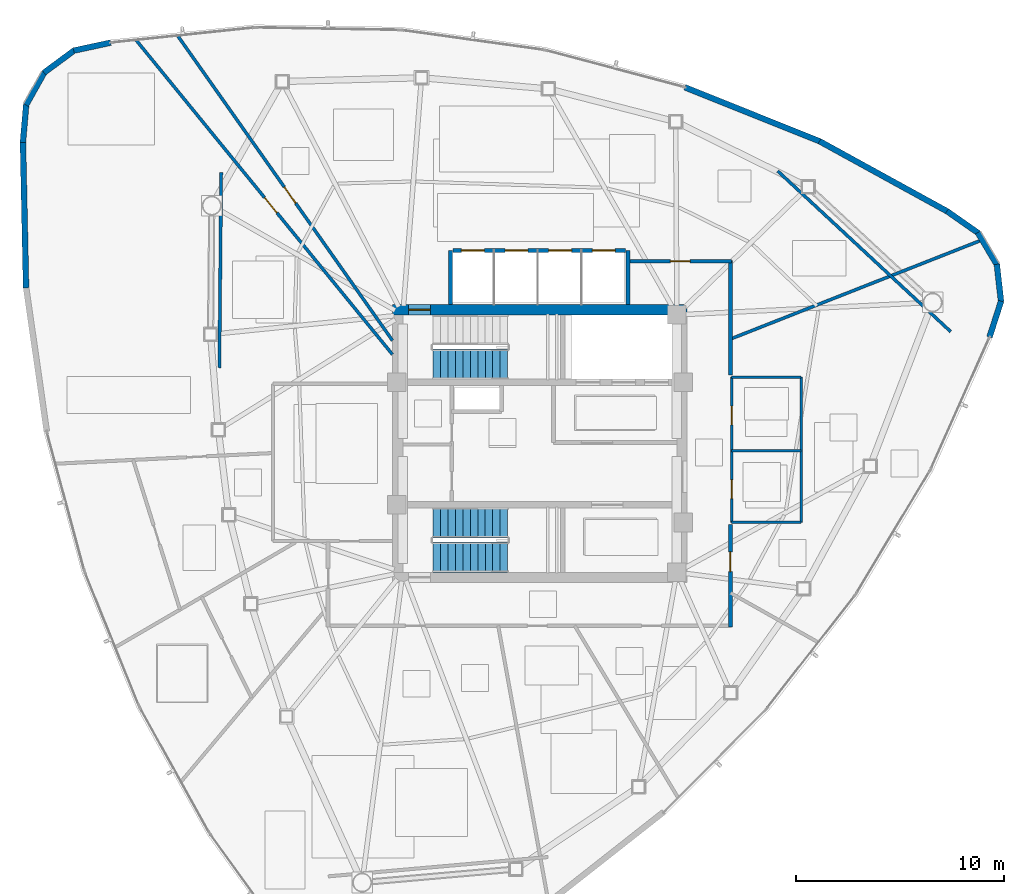
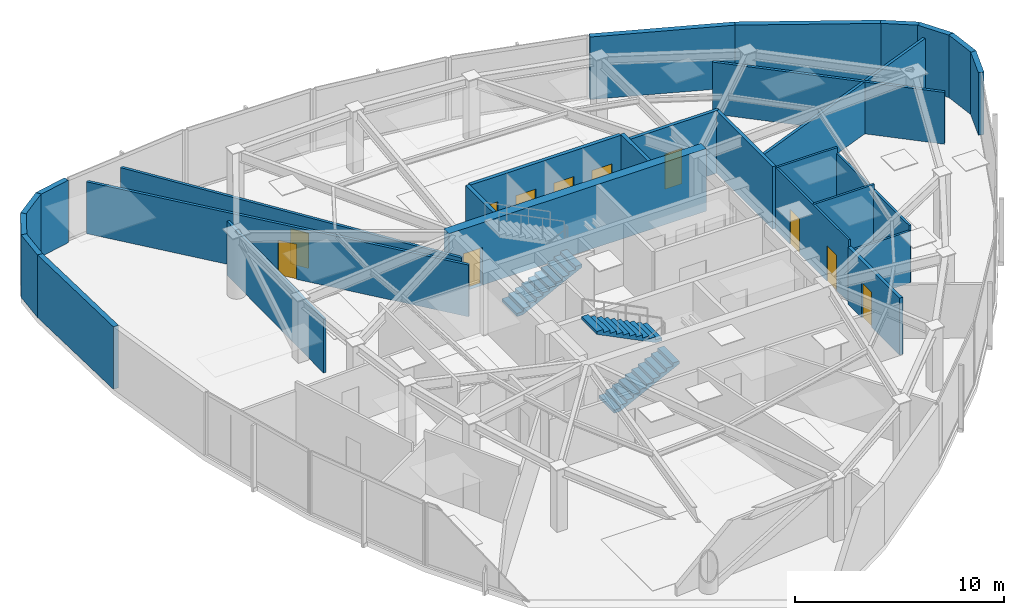
# One storey, part 9 of 13: 28 walls, 11 doors, 3 stair flights, 11 openings, 2 elements without a shape of their own.
"""IFC4 building model written with IfcOpenShell, lengths in metres."""

from ifc_helpers import new_model, si_unit, direction, frame, frame_2d, origin, place, context, subcontext, project, spatial, polyline, rectangle, outline, extrude, material, layer, layer_set, type_object, element, fill, aggregate, save


model = new_model("IFC4")

# Units and contexts
model_context = context("Model", 3, precision=1e-05, world=origin(), true_north=direction((0.0, 1.0)))
body_context = subcontext(model_context, "Body", "Model", "MODEL_VIEW")
ifc_project = project(units=[si_unit("LENGTHUNIT", "METRE"), si_unit("AREAUNIT", "SQUARE_METRE"), si_unit("VOLUMEUNIT", "CUBIC_METRE"), si_unit("PLANEANGLEUNIT", "RADIAN"), si_unit("MASSUNIT", "GRAM", prefix="KILO")], contexts=[model_context])

# Site, building, storey
site_placement = place(None, origin())
site = spatial("IfcSite", under=ifc_project, at=site_placement, CompositionType="ELEMENT")
building_placement = place(site_placement, origin())
building = spatial("IfcBuilding", under=site, at=building_placement, Name="Tavelor Broadcast Tower", CompositionType="ELEMENT")
storey_placement = place(building_placement, frame((0.0, 0.0, 245.85009765625)))
storey = spatial("IfcBuildingStorey", under=building, at=storey_placement, Name="L58", CompositionType="ELEMENT", Elevation=245.85009765625)

# Wall, opening, door
ifc_material_1 = material(Name="Concrete C50/60", Category="concrete")
ifc_layer_1 = layer(ifc_material_1, 0.5)
ifc_layer_set_1 = layer_set([ifc_layer_1], Name="Concrete C50/60")
wall_type_1 = type_object("IfcWallType", Name="Core Shear Wall 500 mm", PredefinedType="SHEAR", material=ifc_layer_set_1)
wall_1_placement = place(storey_placement, frame((42.89990234375, 51.449951171875, 0.0), z_axis=(0.0, 0.0, 1.0), x_axis=(1.0, 0.0, 0.0)))
wall_1 = element("IfcWall", 1, at=wall_1_placement, inside=storey, type_object=wall_type_1, Name="L58 Central Core Shear Wall N", PredefinedType="SHEAR", context=body_context, shape_type="SweptSolid", body=[
    extrude(rectangle(XDim=14.2001953125, YDim=0.5, at=frame_2d((7.10009765625, 0.0))), origin(), (0.0, 0.0, 1.0), 3.64990234375),
])
opening_1_placement = place(wall_1_placement, frame((0.780029296875, 0.0, 0.0)))
opening_1 = element("IfcOpeningElement", 2, at=opening_1_placement, cuts=wall_1, Name="Opening DR11", PredefinedType="OPENING", context=body_context, shape_type="SweptSolid", body=[
    extrude(rectangle(XDim=1.050048828125, YDim=2.199951171875, at=frame_2d((0.52490234375, 1.10009765625))), frame((0.0, 0.260009765625, 0.0), z_axis=(0.0, -1.0, 0.0), x_axis=(1.0, 0.0, 0.0)), (0.0, 0.0, 1.0), 0.52001953125),
])
ifc_material_2 = material(Name="Steel S355", Category="steel")
door_type_1 = type_object("IfcDoorType", Name="Stair Core Fire Escape Door 1050x2200", OperationType="NOTDEFINED", PredefinedType="DOOR", material=ifc_material_2)
door_1_placement = place(opening_1_placement, origin())
door_1 = element("IfcDoor", 3, at=door_1_placement, inside=storey, type_object=door_type_1, Name="L58 Stair ST1 Protected Exit Door", OperationType="SINGLE_SWING_LEFT", OverallHeight=2.199951171875, OverallWidth=1.050048828125, PredefinedType="DOOR", context=body_context, shape_type="SweptSolid", body=[
    extrude(rectangle(XDim=1.050048828125, YDim=2.199951171875, at=frame_2d((0.52490234375, 1.10009765625))), frame((0.0, 0.02490234375, 0.0), z_axis=(0.0, -1.0, 0.0), x_axis=(1.0, 0.0, 0.0)), (0.0, 0.0, 1.0), 0.050048828125),
])
fill(opening_1, door_1)

ifc_material_3 = material(Name="Calcium Silicate Fire Board 180 mm", Category="gypsum")
ifc_layer_2 = layer(ifc_material_3, 0.179931640625)
ifc_layer_set_2 = layer_set([ifc_layer_2], Name="Calcium Silicate Fire Board 180 mm")
wall_type_2 = type_object("IfcWallType", Name="Fire-Rated Corridor Partition Wall 180 mm", PredefinedType="PARTITIONING", material=ifc_layer_set_2)
wall_2_placement = place(storey_placement, frame((54.300048828125, 53.780029296875, 0.0), z_axis=(0.0, 0.0, 1.0), x_axis=(1.0, 0.0, 0.0)))
wall_2 = element("IfcWall", 4, at=wall_2_placement, inside=storey, type_object=wall_type_2, Name="L58 Corridor Compartment Wall 01", PredefinedType="PARTITIONING", context=body_context, shape_type="SweptSolid", body=[
    extrude(rectangle(XDim=4.929931640625, YDim=0.179931640625, at=frame_2d((2.46484375, 0.0))), origin(), (0.0, 0.0, 1.0), 3.64990234375),
])
opening_2_placement = place(wall_2_placement, frame((1.989990234375, 0.0, 0.0)))
opening_2 = element("IfcOpeningElement", 5, at=opening_2_placement, cuts=wall_2, Name="Opening DR18", PredefinedType="OPENING", context=body_context, shape_type="SweptSolid", body=[
    extrude(rectangle(XDim=0.949951171875, YDim=2.050048828125, at=frame_2d((0.47509765625, 1.02490234375))), frame((0.0, 0.10009765625, 0.0), z_axis=(0.0, -1.0, 0.0), x_axis=(1.0, 0.0, 0.0)), (0.0, 0.0, 1.0), 0.199951171875),
])
ifc_material_4 = material(Name="Timber Solid Core Hardwood", Category="wood")
door_type_2 = type_object("IfcDoorType", Name="Corridor Rated Compartment Door 950x2050", OperationType="NOTDEFINED", PredefinedType="DOOR", material=ifc_material_4)
door_2_placement = place(opening_2_placement, origin())
door_2 = element("IfcDoor", 6, at=door_2_placement, inside=storey, type_object=door_type_2, Name="L58 Broadcast Crew Room Door R7", OperationType="SINGLE_SWING_RIGHT", OverallHeight=2.050048828125, OverallWidth=0.949951171875, PredefinedType="DOOR", context=body_context, shape_type="SweptSolid", body=[
    extrude(rectangle(XDim=0.949951171875, YDim=2.050048828125, at=frame_2d((0.47509765625, 1.02490234375))), frame((0.0, 0.02490234375, 0.0), z_axis=(0.0, -1.0, 0.0), x_axis=(1.0, 0.0, 0.0)), (0.0, 0.0, 1.0), 0.050048828125),
])
fill(opening_2, door_2)

# Wall
wall_3_placement = place(storey_placement, frame((59.179931640625, 53.830078125, 0.0), z_axis=(0.0, 0.0, 1.0), x_axis=(0.0, -1.0, 0.0)))
element("IfcWall", 7, at=wall_3_placement, inside=storey, type_object=wall_type_2, Name="L58 Corridor Compartment Wall 02", PredefinedType="PARTITIONING", context=body_context, shape_type="SweptSolid", body=[
    extrude(rectangle(XDim=5.530029296875, YDim=0.179931640625, at=frame_2d((2.76513671875, 0.0))), origin(), (0.0, 0.0, 1.0), 3.64990234375),
])

# Wall, opening, door
wall_4_placement = place(storey_placement, frame((59.179931640625, 41.10009765625, 0.0), z_axis=(0.0, 0.0, 1.0), x_axis=(0.0, -1.0, 0.0)))
wall_4 = element("IfcWall", 8, at=wall_4_placement, inside=storey, type_object=wall_type_2, Name="L58 Corridor Compartment Wall 03", PredefinedType="PARTITIONING", context=body_context, shape_type="SweptSolid", body=[
    extrude(rectangle(XDim=4.93017578125, YDim=0.179931640625, at=frame_2d((2.465087890625, 0.0))), origin(), (0.0, 0.0, 1.0), 3.324951171875),
])
opening_3_placement = place(wall_4_placement, frame((1.315673828125, 0.0, 0.0)))
opening_3 = element("IfcOpeningElement", 9, at=opening_3_placement, cuts=wall_4, Name="Opening DR18", PredefinedType="OPENING", context=body_context, shape_type="SweptSolid", body=[
    extrude(rectangle(XDim=0.949951171875, YDim=2.050048828125, at=frame_2d((0.47509765625, 1.02490234375))), frame((0.0, 0.10009765625, 0.0), z_axis=(0.0, -1.0, 0.0), x_axis=(1.0, 0.0, 0.0)), (0.0, 0.0, 1.0), 0.199951171875),
])
door_3_placement = place(opening_3_placement, origin())
door_3 = element("IfcDoor", 10, at=door_3_placement, inside=storey, type_object=door_type_2, Name="L58 Standards Huddle Room Door R8", OperationType="SINGLE_SWING_LEFT", OverallHeight=2.050048828125, OverallWidth=0.949951171875, PredefinedType="DOOR", context=body_context, shape_type="SweptSolid", body=[
    extrude(rectangle(XDim=0.949951171875, YDim=2.050048828125, at=frame_2d((0.47509765625, 1.02490234375))), frame((0.0, 0.02490234375, 0.0), z_axis=(0.0, -1.0, 0.0), x_axis=(1.0, 0.0, 0.0)), (0.0, 0.0, 1.0), 0.050048828125),
])
fill(opening_3, door_3)

# Walls
ifc_material_5 = material(Name="Precast Concrete C40/50", Category="concrete")
ifc_layer_3 = layer(ifc_material_5, 0.280029296875)
ifc_layer_set_3 = layer_set([ifc_layer_3], Name="Precast Concrete C40/50")
wall_type_3 = type_object("IfcWallType", Name="Insulated Precast Terracotta Facade Wall 280 mm", PredefinedType="STANDARD", material=ifc_layer_set_3)
wall_5_placement = place(storey_placement, frame((29.330810546875, 64.3134765625, 0.0), z_axis=(0.0, 0.0, 1.0), x_axis=(-0.977576696948, -0.210579679895, 0.0)))
element("IfcWall", 11, at=wall_5_placement, inside=storey, type_object=wall_type_3, Name="L58 Rounded Corner Structural Cladding Pier 01", PredefinedType="STANDARD", context=body_context, shape_type="SweptSolid", body=[
    extrude(rectangle(XDim=1.824951171875, YDim=0.280029296875, at=frame_2d((0.91259765625, 0.0))), origin(), (0.0, 0.0, 1.0), 3.64990234375),
])
for number, where, z_axis, x_axis, name in (
    (12, (27.573486328125, 63.94140625, 0.0), (0.0, 0.0, 1.0), (-0.804341201192, -0.594167680091, 0.0), "L58 Rounded Corner Structural Cladding Pier 02"),
    (13, (26.134521484375, 62.885986328125, 0.0), (0.0, 0.0, 1.0), (-0.488726356184, -0.872437131701, 0.0), "L58 Rounded Corner Structural Cladding Pier 03"),
):
    element("IfcWall", number, at=place(storey_placement, frame(where, z_axis=z_axis, x_axis=x_axis)), inside=storey, type_object=wall_type_3, Name=name, PredefinedType="STANDARD", context=body_context, shape_type="SweptSolid", body=[
        extrude(rectangle(XDim=1.813232421875, YDim=0.280029296875, at=frame_2d((0.90673828125, 0.0))), origin(), (0.0, 0.0, 1.0), 3.64990234375),
    ])
wall_6_placement = place(storey_placement, frame((25.257080078125, 61.33203125, 0.0), z_axis=(0.0, 0.0, 1.0), x_axis=(-0.086302531446, -0.996268976264, 0.0)))
element("IfcWall", 14, at=wall_6_placement, inside=storey, type_object=wall_type_3, Name="L58 Rounded Corner Structural Cladding Pier 04", PredefinedType="STANDARD", context=body_context, shape_type="SweptSolid", body=[
    extrude(rectangle(XDim=1.8359375, YDim=0.280029296875, at=frame_2d((0.91796875, 0.0))), origin(), (0.0, 0.0, 1.0), 3.64990234375),
])
wall_7_placement = place(storey_placement, frame((25.099609375, 59.532958984375, 0.0), z_axis=(0.0, 0.0, 1.0), x_axis=(0.021354487537, -0.999771966931, 0.0)))
element("IfcWall", 15, at=wall_7_placement, inside=storey, type_object=wall_type_3, Name="L58 Rounded Corner Structural Cladding Pier 05", PredefinedType="STANDARD", context=body_context, shape_type="SweptSolid", body=[
    extrude(rectangle(XDim=7.03125, YDim=0.280029296875, at=frame_2d((3.515625, 0.0))), origin(), (0.0, 0.0, 1.0), 3.64990234375),
])
wall_8_placement = place(storey_placement, frame((71.660400390625, 50.12548828125, 0.0), z_axis=(0.0, 0.0, 1.0), x_axis=(0.306580664443, 0.951844680707, 0.0)))
element("IfcWall", 16, at=wall_8_placement, inside=storey, type_object=wall_type_3, Name="L58 Rounded Corner Structural Cladding Pier 21", PredefinedType="STANDARD", context=body_context, shape_type="SweptSolid", body=[
    extrude(rectangle(XDim=1.8251953125, YDim=0.280029296875, at=frame_2d((0.91259765625, 0.0))), origin(), (0.0, 0.0, 1.0), 3.64990234375),
])
for number, where, z_axis, x_axis, name in (
    (17, (72.217041015625, 51.83349609375, 0.0), (0.0, 0.0, 1.0), (-0.112426308193, 0.993660065227, 0.0), "L58 Rounded Corner Structural Cladding Pier 22"),
    (18, (72.022705078125, 53.607421875, 0.0), (0.0, 0.0, 1.0), (-0.511344202181, 0.859375998557, 0.0), "L58 Rounded Corner Structural Cladding Pier 23"),
):
    element("IfcWall", number, at=place(storey_placement, frame(where, z_axis=z_axis, x_axis=x_axis)), inside=storey, type_object=wall_type_3, Name=name, PredefinedType="STANDARD", context=body_context, shape_type="SweptSolid", body=[
        extrude(rectangle(XDim=1.813232421875, YDim=0.280029296875, at=frame_2d((0.90673828125, 0.0))), origin(), (0.0, 0.0, 1.0), 3.64990234375),
    ])
wall_9_placement = place(storey_placement, frame((71.115478515625, 55.144287109375, 0.0), z_axis=(0.0, 0.0, 1.0), x_axis=(-0.81965650106, 0.572855322285, 0.0)))
element("IfcWall", 19, at=wall_9_placement, inside=storey, type_object=wall_type_3, Name="L58 Rounded Corner Structural Cladding Pier 24", PredefinedType="STANDARD", context=body_context, shape_type="SweptSolid", body=[
    extrude(rectangle(XDim=1.8359375, YDim=0.280029296875, at=frame_2d((0.91796875, 0.0))), origin(), (0.0, 0.0, 1.0), 3.64990234375),
])
wall_10_placement = place(storey_placement, frame((69.635986328125, 56.18017578125, 0.0), z_axis=(0.0, 0.0, 1.0), x_axis=(-0.87649581642, 0.481409476224, 0.0)))
element("IfcWall", 20, at=wall_10_placement, inside=storey, type_object=wall_type_3, Name="L58 Rounded Corner Structural Cladding Pier 25", PredefinedType="STANDARD", context=body_context, shape_type="SweptSolid", body=[
    extrude(rectangle(XDim=7.031005859375, YDim=0.280029296875, at=frame_2d((3.515625, 0.0))), origin(), (0.0, 0.0, 1.0), 3.64990234375),
])
wall_11_placement = place(storey_placement, frame((63.50048828125, 59.55224609375, 0.0), z_axis=(0.0, 0.0, 1.0), x_axis=(-0.928320691582, 0.371780437329, 0.0)))
element("IfcWall", 21, at=wall_11_placement, inside=storey, type_object=wall_type_3, Name="L58 Rounded Corner Structural Cladding Pier 26", PredefinedType="STANDARD", context=body_context, shape_type="SweptSolid", body=[
    extrude(rectangle(XDim=7.019287109375, YDim=0.280029296875, at=frame_2d((3.509765625, 0.0))), origin(), (0.0, 0.0, 1.0), 3.64990234375),
])
ifc_material_6 = material(Name="Gypsum Acoustic Plasterboard 150 mm", Category="gypsum")
ifc_layer_4 = layer(ifc_material_6, 0.14990234375)
ifc_layer_set_4 = layer_set([ifc_layer_4], Name="Gypsum Acoustic Plasterboard 150 mm")
wall_type_4 = type_object("IfcWallType", Name="Interior Acoustic Partition Wall 150 mm", PredefinedType="PARTITIONING", material=ifc_layer_set_4)
wall_12_placement = place(storey_placement, frame((34.651611328125, 58.0556640625, 0.0), z_axis=(0.0, 0.0, 1.0), x_axis=(-0.009553538759, -0.999954363907, 0.0)))
element("IfcWall", 22, at=wall_12_placement, inside=storey, type_object=wall_type_4, Name="L58 Corner Tube Brace Furring Wall 1", PredefinedType="PARTITIONING", context=body_context, shape_type="SweptSolid", body=[
    extrude(rectangle(XDim=9.404296875, YDim=0.14990234375, at=frame_2d((4.7021484375, 0.0))), origin(), (0.0, 0.0, 1.0), 3.135009765625),
])
wall_13_placement = place(storey_placement, frame((69.79248046875, 50.387939453125, 0.0), z_axis=(0.0, 0.0, 1.0), x_axis=(-0.732769799181, 0.680476613418, 0.0)))
element("IfcWall", 23, at=wall_13_placement, inside=storey, type_object=wall_type_4, Name="L58 Corner Tube Brace Furring Wall 3", PredefinedType="PARTITIONING", context=body_context, shape_type="SweptSolid", body=[
    extrude(rectangle(XDim=11.377685546875, YDim=0.14990234375, at=frame_2d((5.68896484375, 0.0))), origin(), (0.0, 0.0, 1.0), 3.02490234375),
])
wall_14_placement = place(storey_placement, frame((59.179931640625, 50.0341796875, 0.0), z_axis=(0.0, 0.0, 1.0), x_axis=(0.930419417243, 0.366496532067, 0.0)))
element("IfcWall", 24, at=wall_14_placement, inside=storey, type_object=wall_type_4, Name="L58 Radial Compartment Wall 01", PredefinedType="PARTITIONING", context=body_context, shape_type="SweptSolid", body=[
    extrude(rectangle(XDim=13.0439453125, YDim=0.14990234375, at=frame_2d((6.52197265625, 0.0))), origin(), (0.0, 0.0, 1.0), 3.02490234375),
])

# Wall, opening, door
wall_15_placement = place(storey_placement, frame((42.89990234375, 49.9658203125, 0.0), z_axis=(0.0, 0.0, 1.0), x_axis=(-0.576089046262, 0.817386940669, 0.0)))
wall_15 = element("IfcWall", 25, at=wall_15_placement, inside=storey, type_object=wall_type_4, Name="L58 Radial Compartment Wall 02", PredefinedType="PARTITIONING", context=body_context, shape_type="SweptSolid", body=[
    extrude(rectangle(XDim=17.976318359375, YDim=0.14990234375, at=frame_2d((8.98828125, 0.0))), origin(), (0.0, 0.0, 1.0), 3.02490234375),
])
opening_4_placement = place(wall_15_placement, frame((8.08935546875, 0.0, 0.0)))
opening_4 = element("IfcOpeningElement", 26, at=opening_4_placement, cuts=wall_15, Name="Opening DR18", PredefinedType="OPENING", context=body_context, shape_type="SweptSolid", body=[
    extrude(rectangle(XDim=0.949951171875, YDim=2.050048828125, at=frame_2d((0.47509765625, 1.02490234375))), frame((0.0, 0.0849609375, 0.0), z_axis=(0.0, -1.0, 0.0), x_axis=(1.0, 0.0, 0.0)), (0.0, 0.0, 1.0), 0.169921875),
])
door_4_placement = place(opening_4_placement, origin())
door_4 = element("IfcDoor", 27, at=door_4_placement, inside=storey, type_object=door_type_2, Name="L58 Suite Connecting Door 6", OperationType="SINGLE_SWING_LEFT", OverallHeight=2.050048828125, OverallWidth=0.949951171875, PredefinedType="DOOR", context=body_context, shape_type="SweptSolid", body=[
    extrude(rectangle(XDim=0.949951171875, YDim=2.050048828125, at=frame_2d((0.47509765625, 1.02490234375))), frame((0.0, 0.02490234375, 0.0), z_axis=(0.0, -1.0, 0.0), x_axis=(1.0, 0.0, 0.0)), (0.0, 0.0, 1.0), 0.050048828125),
])
fill(opening_4, door_4)

wall_16_placement = place(storey_placement, frame((42.89990234375, 49.2919921875, 0.0), z_axis=(0.0, 0.0, 1.0), x_axis=(-0.63196103843, 0.77500015865, 0.0)))
wall_16 = element("IfcWall", 28, at=wall_16_placement, inside=storey, type_object=wall_type_4, Name="L58 Radial Compartment Wall 03", PredefinedType="PARTITIONING", context=body_context, shape_type="SweptSolid", body=[
    extrude(rectangle(XDim=19.558349609375, YDim=0.14990234375, at=frame_2d((9.779296875, 0.0))), origin(), (0.0, 0.0, 1.0), 3.02490234375),
])
opening_5_placement = place(wall_16_placement, frame((8.80126953125, 0.0, 0.0)))
opening_5 = element("IfcOpeningElement", 29, at=opening_5_placement, cuts=wall_16, Name="Opening DR18", PredefinedType="OPENING", context=body_context, shape_type="SweptSolid", body=[
    extrude(rectangle(XDim=0.949951171875, YDim=2.050048828125, at=frame_2d((0.47509765625, 1.02490234375))), frame((0.0, 0.0849609375, 0.0), z_axis=(0.0, -1.0, 0.0), x_axis=(1.0, 0.0, 0.0)), (0.0, 0.0, 1.0), 0.169921875),
])
door_5_placement = place(opening_5_placement, origin())
door_5 = element("IfcDoor", 30, at=door_5_placement, inside=storey, type_object=door_type_2, Name="L58 Suite Connecting Door 5", OperationType="SINGLE_SWING_RIGHT", OverallHeight=2.050048828125, OverallWidth=0.949951171875, PredefinedType="DOOR", context=body_context, shape_type="SweptSolid", body=[
    extrude(rectangle(XDim=0.949951171875, YDim=2.050048828125, at=frame_2d((0.47509765625, 1.02490234375))), frame((0.0, 0.02490234375, 0.0), z_axis=(0.0, -1.0, 0.0), x_axis=(1.0, 0.0, 0.0)), (0.0, 0.0, 1.0), 0.050048828125),
])
fill(opening_5, door_5)

# Wall, openings, doors
ifc_material_7 = material(Name="Concrete Blockwork 200 mm", Category="masonry")
ifc_layer_5 = layer(ifc_material_7, 0.199951171875)
ifc_layer_set_5 = layer_set([ifc_layer_5], Name="Concrete Blockwork 200 mm")
wall_type_5 = type_object("IfcWallType", Name="Lift Hoistway Rated Front Wall 200 mm", PredefinedType="PARTITIONING", material=ifc_layer_set_5)
wall_17_placement = place(storey_placement, frame((45.820068359375, 54.300048828125, 0.0), z_axis=(0.0, 0.0, 1.0), x_axis=(1.0, 0.0, 0.0)))
wall_17 = element("IfcWall", 31, at=wall_17_placement, inside=storey, type_object=wall_type_5, Name="L58 High-Rise Lift Hoistway Front Wall", PredefinedType="PARTITIONING", context=body_context, shape_type="SweptSolid", body=[
    extrude(rectangle(XDim=8.309814453125, YDim=0.199951171875, at=frame_2d((4.15478515625, 0.0))), origin(), (0.0, 0.0, 1.0), 3.64990234375),
])
opening_6_placement = place(wall_17_placement, frame((0.405029296875, 0.0, 0.0)))
opening_6 = element("IfcOpeningElement", 32, at=opening_6_placement, cuts=wall_17, Name="Opening LD01", PredefinedType="OPENING", context=body_context, shape_type="SweptSolid", body=[
    extrude(rectangle(XDim=1.10009765625, YDim=2.14990234375, at=frame_2d((0.550048828125, 1.074951171875))), frame((0.0, 0.10986328125, 0.0), z_axis=(0.0, -1.0, 0.0), x_axis=(1.0, 0.0, 0.0)), (0.0, 0.0, 1.0), 0.219970703125),
])
opening_7_placement = place(wall_17_placement, frame((2.5048828125, 0.0, 0.0)))
opening_7 = element("IfcOpeningElement", 33, at=opening_7_placement, cuts=wall_17, Name="Opening LD01", PredefinedType="OPENING", context=body_context, shape_type="SweptSolid", body=[
    extrude(rectangle(XDim=1.10009765625, YDim=2.14990234375, at=frame_2d((0.550048828125, 1.074951171875))), frame((0.0, 0.10986328125, 0.0), z_axis=(0.0, -1.0, 0.0), x_axis=(1.0, 0.0, 0.0)), (0.0, 0.0, 1.0), 0.219970703125),
])
opening_8_placement = place(wall_17_placement, frame((4.60498046875, 0.0, 0.0)))
opening_8 = element("IfcOpeningElement", 34, at=opening_8_placement, cuts=wall_17, Name="Opening LD01", PredefinedType="OPENING", context=body_context, shape_type="SweptSolid", body=[
    extrude(rectangle(XDim=1.10009765625, YDim=2.14990234375, at=frame_2d((0.550048828125, 1.074951171875))), frame((0.0, 0.10986328125, 0.0), z_axis=(0.0, -1.0, 0.0), x_axis=(1.0, 0.0, 0.0)), (0.0, 0.0, 1.0), 0.219970703125),
])
opening_9_placement = place(wall_17_placement, frame((6.705078125, 0.0, 0.0)))
opening_9 = element("IfcOpeningElement", 35, at=opening_9_placement, cuts=wall_17, Name="Opening LD01", PredefinedType="OPENING", context=body_context, shape_type="SweptSolid", body=[
    extrude(rectangle(XDim=1.10009765625, YDim=2.14990234375, at=frame_2d((0.550048828125, 1.074951171875))), frame((0.0, 0.10986328125, 0.0), z_axis=(0.0, -1.0, 0.0), x_axis=(1.0, 0.0, 0.0)), (0.0, 0.0, 1.0), 0.219970703125),
])
ifc_material_8 = material(Name="Brushed Stainless Steel", Category="steel")
door_type_3 = type_object("IfcDoorType", Name="Passenger Lift Sliding Landing Door 1100x2150", OperationType="NOTDEFINED", PredefinedType="DOOR", material=ifc_material_8)
door_6_placement = place(opening_6_placement, origin())
door_6 = element("IfcDoor", 36, at=door_6_placement, inside=storey, type_object=door_type_3, Name="L58 Lift PLH1 Sliding Landing Door", OperationType="SLIDING_TO_LEFT", OverallHeight=2.14990234375, OverallWidth=1.10009765625, PredefinedType="DOOR", context=body_context, shape_type="SweptSolid", body=[
    extrude(rectangle(XDim=1.10009765625, YDim=2.14990234375, at=frame_2d((0.550048828125, 1.074951171875))), frame((0.0, 0.02490234375, 0.0), z_axis=(0.0, -1.0, 0.0), x_axis=(1.0, 0.0, 0.0)), (0.0, 0.0, 1.0), 0.050048828125),
])
fill(opening_6, door_6)
door_7_placement = place(opening_7_placement, origin())
door_7 = element("IfcDoor", 37, at=door_7_placement, inside=storey, type_object=door_type_3, Name="L58 Lift PLH2 Sliding Landing Door", OperationType="SLIDING_TO_RIGHT", OverallHeight=2.14990234375, OverallWidth=1.10009765625, PredefinedType="DOOR", context=body_context, shape_type="SweptSolid", body=[
    extrude(rectangle(XDim=1.10009765625, YDim=2.14990234375, at=frame_2d((0.550048828125, 1.074951171875))), frame((0.0, 0.02490234375, 0.0), z_axis=(0.0, -1.0, 0.0), x_axis=(1.0, 0.0, 0.0)), (0.0, 0.0, 1.0), 0.050048828125),
])
fill(opening_7, door_7)
door_8_placement = place(opening_8_placement, origin())
door_8 = element("IfcDoor", 38, at=door_8_placement, inside=storey, type_object=door_type_3, Name="L58 Lift PLH3 Sliding Landing Door", OperationType="SLIDING_TO_LEFT", OverallHeight=2.14990234375, OverallWidth=1.10009765625, PredefinedType="DOOR", context=body_context, shape_type="SweptSolid", body=[
    extrude(rectangle(XDim=1.10009765625, YDim=2.14990234375, at=frame_2d((0.550048828125, 1.074951171875))), frame((0.0, 0.02490234375, 0.0), z_axis=(0.0, -1.0, 0.0), x_axis=(1.0, 0.0, 0.0)), (0.0, 0.0, 1.0), 0.050048828125),
])
fill(opening_8, door_8)
door_9_placement = place(opening_9_placement, origin())
door_9 = element("IfcDoor", 39, at=door_9_placement, inside=storey, type_object=door_type_3, Name="L58 Lift PLH4 Sliding Landing Door", OperationType="SLIDING_TO_RIGHT", OverallHeight=2.14990234375, OverallWidth=1.10009765625, PredefinedType="DOOR", context=body_context, shape_type="SweptSolid", body=[
    extrude(rectangle(XDim=1.10009765625, YDim=2.14990234375, at=frame_2d((0.550048828125, 1.074951171875))), frame((0.0, 0.02490234375, 0.0), z_axis=(0.0, -1.0, 0.0), x_axis=(1.0, 0.0, 0.0)), (0.0, 0.0, 1.0), 0.050048828125),
])
fill(opening_9, door_9)

# Walls
ifc_layer_6 = layer(ifc_material_7, 0.199951171875)
ifc_layer_set_6 = layer_set([ifc_layer_6], Name="Concrete Blockwork 200 mm")
wall_type_6 = type_object("IfcWallType", Name="Lift and Riser Shaft Enclosure Wall 200 mm", PredefinedType="PARTITIONING", material=ifc_layer_set_6)
for number, where, z_axis, x_axis, name in (
    (40, (45.699951171875, 51.699951171875, 0.0), (0.0, 0.0, 1.0), (0.0, 1.0, 0.0), "L58 High-Rise Lift Shaft West Wall"),
    (41, (54.25, 51.699951171875, 0.0), (0.0, 0.0, 1.0), (0.0, 1.0, 0.0), "L58 High-Rise Lift Shaft East Wall"),
):
    element("IfcWall", number, at=place(storey_placement, frame(where, z_axis=z_axis, x_axis=x_axis)), inside=storey, type_object=wall_type_6, Name=name, PredefinedType="PARTITIONING", context=body_context, shape_type="SweptSolid", body=[
        extrude(rectangle(XDim=2.60009765625, YDim=0.199951171875, at=frame_2d((1.300048828125, 0.0))), origin(), (0.0, 0.0, 1.0), 3.64990234375),
    ])

# Wall, openings, doors
ifc_material_9 = material(Name="Moisture-Resistant Plasterboard 120 mm", Category="gypsum")
ifc_layer_7 = layer(ifc_material_9, 0.1201171875)
ifc_layer_set_7 = layer_set([ifc_layer_7], Name="Moisture-Resistant Plasterboard 120 mm")
wall_type_7 = type_object("IfcWallType", Name="Moisture-Resistant Wet-Room Partition 120 mm", PredefinedType="PARTITIONING", material=ifc_layer_set_7)
wall_18_placement = place(storey_placement, frame((59.239990234375, 41.199951171875, 0.0), z_axis=(0.0, 0.0, 1.0), x_axis=(0.0, 1.0, 0.0)))
wall_18 = element("IfcWall", 42, at=wall_18_placement, inside=storey, type_object=wall_type_7, Name="L58 Floor Washrooms West Wall", PredefinedType="PARTITIONING", context=body_context, shape_type="SweptSolid", body=[
    extrude(rectangle(XDim=7.0, YDim=0.1201171875, at=frame_2d((3.5, 0.0))), origin(), (0.0, 0.0, 1.0), 3.64990234375),
])
opening_10_placement = place(wall_18_placement, frame((1.14990234375, 0.0, 0.0)))
opening_10 = element("IfcOpeningElement", 43, at=opening_10_placement, cuts=wall_18, Name="Opening DR32", PredefinedType="OPENING", context=body_context, shape_type="SweptSolid", body=[
    extrude(rectangle(XDim=0.89990234375, YDim=2.050048828125, at=frame_2d((0.449951171875, 1.02490234375))), frame((0.0, 0.070068359375, 0.0), z_axis=(0.0, -1.0, 0.0), x_axis=(1.0, 0.0, 0.0)), (0.0, 0.0, 1.0), 0.14013671875),
])
opening_11_placement = place(wall_18_placement, frame((4.699951171875, 0.0, 0.0)))
opening_11 = element("IfcOpeningElement", 44, at=opening_11_placement, cuts=wall_18, Name="Opening DR32", PredefinedType="OPENING", context=body_context, shape_type="SweptSolid", body=[
    extrude(rectangle(XDim=0.89990234375, YDim=2.050048828125, at=frame_2d((0.449951171875, 1.02490234375))), frame((0.0, 0.070068359375, 0.0), z_axis=(0.0, -1.0, 0.0), x_axis=(1.0, 0.0, 0.0)), (0.0, 0.0, 1.0), 0.14013671875),
])
door_type_4 = type_object("IfcDoorType", Name="Accessible Washroom Door 900x2050", OperationType="NOTDEFINED", PredefinedType="DOOR", material=ifc_material_4)
door_10_placement = place(opening_10_placement, origin())
door_10 = element("IfcDoor", 45, at=door_10_placement, inside=storey, type_object=door_type_4, Name="L58 Accessible WC Door", OperationType="SINGLE_SWING_LEFT", OverallHeight=2.050048828125, OverallWidth=0.89990234375, PredefinedType="DOOR", context=body_context, shape_type="SweptSolid", body=[
    extrude(rectangle(XDim=0.89990234375, YDim=2.050048828125, at=frame_2d((0.449951171875, 1.02490234375))), frame((0.0, 0.02490234375, 0.0), z_axis=(0.0, -1.0, 0.0), x_axis=(1.0, 0.0, 0.0)), (0.0, 0.0, 1.0), 0.050048828125),
])
fill(opening_10, door_10)
door_11_placement = place(opening_11_placement, origin())
door_11 = element("IfcDoor", 46, at=door_11_placement, inside=storey, type_object=door_type_4, Name="L58 Staff Washroom WC Door", OperationType="SINGLE_SWING_RIGHT", OverallHeight=2.050048828125, OverallWidth=0.89990234375, PredefinedType="DOOR", context=body_context, shape_type="SweptSolid", body=[
    extrude(rectangle(XDim=0.89990234375, YDim=2.050048828125, at=frame_2d((0.449951171875, 1.02490234375))), frame((0.0, 0.02490234375, 0.0), z_axis=(0.0, -1.0, 0.0), x_axis=(1.0, 0.0, 0.0)), (0.0, 0.0, 1.0), 0.050048828125),
])
fill(opening_11, door_11)

# Walls
wall_19_placement = place(storey_placement, frame((59.239990234375, 41.199951171875, 0.0), z_axis=(0.0, 0.0, 1.0), x_axis=(1.0, 0.0, 0.0)))
element("IfcWall", 47, at=wall_19_placement, inside=storey, type_object=wall_type_7, Name="L58 Floor Washrooms South Wall", PredefinedType="PARTITIONING", context=body_context, shape_type="SweptSolid", body=[
    extrude(rectangle(XDim=3.340087890625, YDim=0.1201171875, at=frame_2d((1.669921875, 0.0))), origin(), (0.0, 0.0, 1.0), 3.02490234375),
])
for number, where, z_axis, x_axis, name in (
    (48, (59.239990234375, 44.64990234375, 0.0), (0.0, 0.0, 1.0), (1.0, 0.0, 0.0), "L58 Floor Washrooms Divider Wall"),
    (49, (59.239990234375, 48.199951171875, 0.0), (0.0, 0.0, 1.0), (1.0, 0.0, 0.0), "L58 Floor Washrooms North Wall"),
):
    element("IfcWall", number, at=place(storey_placement, frame(where, z_axis=z_axis, x_axis=x_axis)), inside=storey, type_object=wall_type_7, Name=name, PredefinedType="PARTITIONING", context=body_context, shape_type="SweptSolid", body=[
        extrude(rectangle(XDim=3.340087890625, YDim=0.1201171875, at=frame_2d((1.669921875, 0.0))), origin(), (0.0, 0.0, 1.0), 3.64990234375),
    ])
wall_20_placement = place(storey_placement, frame((62.580078125, 41.199951171875, 0.0), z_axis=(0.0, 0.0, 1.0), x_axis=(0.0, 1.0, 0.0)))
element("IfcWall", 50, at=wall_20_placement, inside=storey, type_object=wall_type_7, Name="L58 Floor Washrooms East Wall", PredefinedType="PARTITIONING", context=body_context, shape_type="SweptSolid", body=[
    extrude(rectangle(XDim=7.0, YDim=0.1201171875, at=frame_2d((3.5, 0.0))), origin(), (0.0, 0.0, 1.0), 3.324951171875),
])

# Stair, stair flight
ifc_material_10 = material(Name="Concrete C40/50", Category="concrete")
stair_type = type_object("IfcStairType", Name="Reinforced Concrete Protected Dogleg Stair 1450 mm", PredefinedType="HALF_TURN_STAIR", material=ifc_material_10)
stair_1_placement = place(storey_placement, origin())
stair_1 = element("IfcStair", 51, at=stair_1_placement, inside=storey, type_object=stair_type, Name="L58 Protected Core Exit Stair ST1", PredefinedType="HALF_TURN_STAIR")
stair_flight_type = type_object("IfcStairFlightType", Name="Reinforced Concrete Stair Flight 1450 mm", PredefinedType="STRAIGHT", material=ifc_material_10)
stair_flight_1_placement = place(storey_placement, frame((44.85009765625, 48.824951171875, 0.0), z_axis=(0.0, 0.0, 1.0), x_axis=(1.0, 0.0, 0.0)))
stair_flight_1 = element("IfcStairFlight", 52, at=stair_flight_1_placement, type_object=stair_flight_type, Name="ST1 flight 1", NumberOfRisers=11, NumberOfTreads=10, PredefinedType="STRAIGHT", RiserHeight=0.179545455, TreadLength=0.36, context=body_context, shape_type="SweptSolid", body=[
    extrude(outline(polyline([(0.0, 0.0), (0.0, 0.179443359375), (0.360107421875, 0.179443359375), (0.360107421875, 0.359130859375), (0.719970703125, 0.359130859375), (0.719970703125, 0.53857421875), (1.080078125, 0.53857421875), (1.080078125, 0.71826171875), (1.43994140625, 0.71826171875), (1.43994140625, 0.897705078125), (1.800048828125, 0.897705078125), (1.800048828125, 1.077392578125), (2.159912109375, 1.077392578125), (2.159912109375, 1.2568359375), (2.52001953125, 1.2568359375), (2.52001953125, 1.436279296875), (2.8798828125, 1.436279296875), (2.8798828125, 1.615966796875), (3.239990234375, 1.615966796875), (3.239990234375, 1.79541015625), (3.60009765625, 1.79541015625), (3.60009765625, 1.97509765625), (3.60009765625, 1.6279296875), (0.3359375, 0.0), (0.0, 0.0)])), frame((0.0, 0.72509765625, 0.0), z_axis=(0.0, -1.0, 0.0), x_axis=(1.0, 0.0, 0.0)), (0.0, 0.0, 1.0), 1.449951171875),
])
aggregate(stair_1, [stair_flight_1])

# Stair, stair flights
stair_2_placement = place(storey_placement, origin())
stair_2 = element("IfcStair", 53, at=stair_2_placement, inside=storey, type_object=stair_type, Name="L58 Protected Core Exit Stair ST2", PredefinedType="HALF_TURN_STAIR")
stair_flight_2_placement = place(storey_placement, frame((44.85009765625, 39.52490234375, 0.0), z_axis=(0.0, 0.0, 1.0), x_axis=(1.0, 0.0, 0.0)))
stair_flight_2 = element("IfcStairFlight", 54, at=stair_flight_2_placement, type_object=stair_flight_type, Name="ST2 flight 1", NumberOfRisers=11, NumberOfTreads=10, PredefinedType="STRAIGHT", RiserHeight=0.179545455, TreadLength=0.36, context=body_context, shape_type="SweptSolid", body=[
    extrude(outline(polyline([(0.0, 0.0), (0.0, 0.179443359375), (0.360107421875, 0.179443359375), (0.360107421875, 0.359130859375), (0.719970703125, 0.359130859375), (0.719970703125, 0.53857421875), (1.080078125, 0.53857421875), (1.080078125, 0.71826171875), (1.43994140625, 0.71826171875), (1.43994140625, 0.897705078125), (1.800048828125, 0.897705078125), (1.800048828125, 1.077392578125), (2.159912109375, 1.077392578125), (2.159912109375, 1.2568359375), (2.52001953125, 1.2568359375), (2.52001953125, 1.436279296875), (2.8798828125, 1.436279296875), (2.8798828125, 1.615966796875), (3.239990234375, 1.615966796875), (3.239990234375, 1.79541015625), (3.60009765625, 1.79541015625), (3.60009765625, 1.97509765625), (3.60009765625, 1.6279296875), (0.3359375, 0.0), (0.0, 0.0)])), frame((0.0, 0.72509765625, 0.0), z_axis=(0.0, -1.0, 0.0), x_axis=(1.0, 0.0, 0.0)), (0.0, 0.0, 1.0), 1.449951171875),
])
stair_flight_3_placement = place(storey_placement, frame((48.449951171875, 41.175048828125, 1.974853515625), z_axis=(0.0, 0.0, 1.0), x_axis=(-1.0, 0.0, 0.0)))
stair_flight_3 = element("IfcStairFlight", 55, at=stair_flight_3_placement, type_object=stair_flight_type, Name="ST2 flight 2", NumberOfRisers=11, NumberOfTreads=10, PredefinedType="STRAIGHT", RiserHeight=0.179545455, TreadLength=0.36, context=body_context, shape_type="SweptSolid", body=[
    extrude(outline(polyline([(0.0, 0.0), (0.0, 0.179443359375), (0.360107421875, 0.179443359375), (0.360107421875, 0.359130859375), (0.719970703125, 0.359130859375), (0.719970703125, 0.53857421875), (1.080078125, 0.53857421875), (1.080078125, 0.71826171875), (1.43994140625, 0.71826171875), (1.43994140625, 0.897705078125), (1.800048828125, 0.897705078125), (1.800048828125, 1.077392578125), (2.159912109375, 1.077392578125), (2.159912109375, 1.2568359375), (2.52001953125, 1.2568359375), (2.52001953125, 1.436279296875), (2.8798828125, 1.436279296875), (2.8798828125, 1.615966796875), (3.239990234375, 1.615966796875), (3.239990234375, 1.79541015625), (3.60009765625, 1.79541015625), (3.60009765625, 1.97509765625), (3.60009765625, 1.6279296875), (0.3359375, 0.0), (0.0, 0.0)])), frame((0.0, 0.72509765625, 0.0), z_axis=(0.0, -1.0, 0.0), x_axis=(1.0, 0.0, 0.0)), (0.0, 0.0, 1.0), 1.449951171875),
])
aggregate(stair_2, [stair_flight_2, stair_flight_3])

save(model, "model.ifc")
